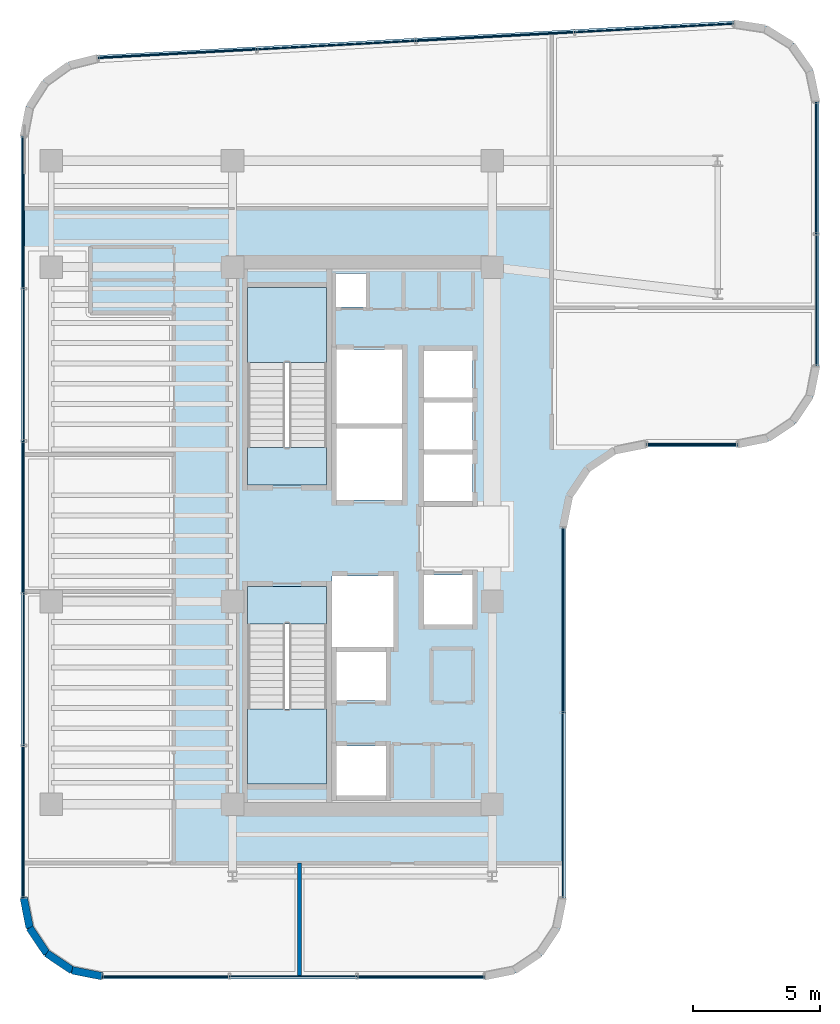
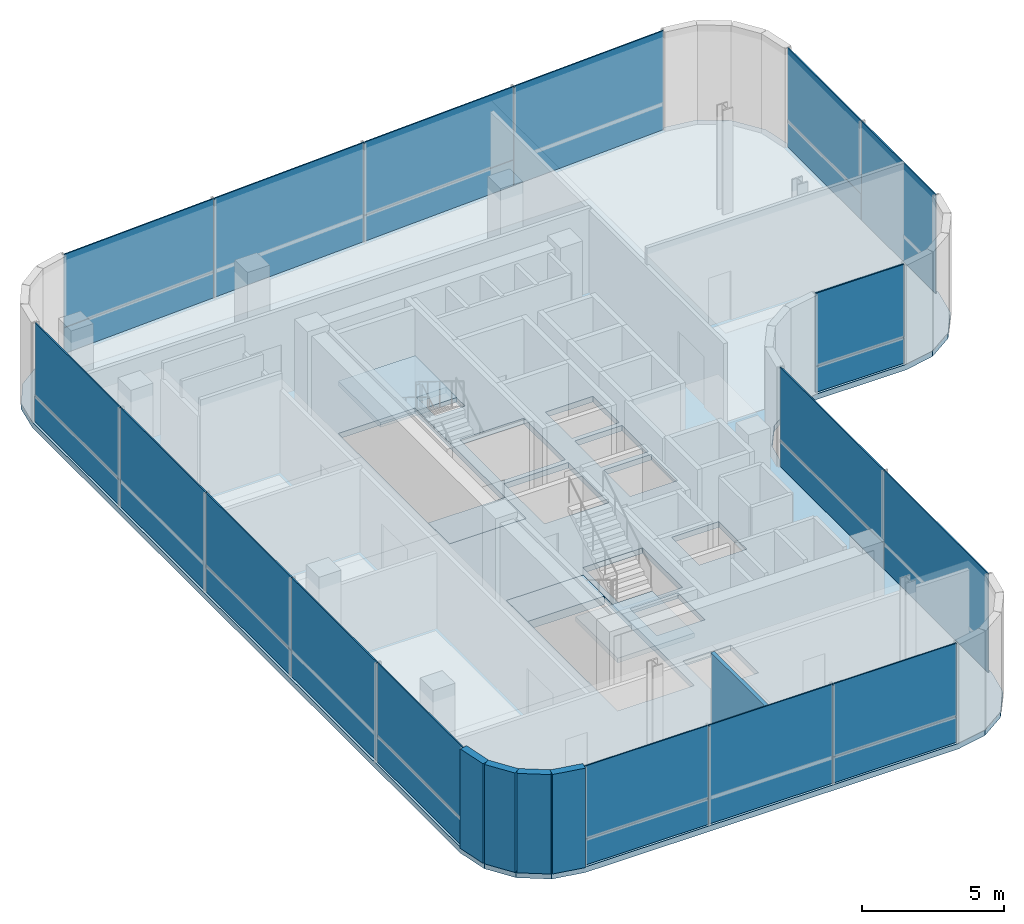
# One storey, part 12 of 17: 27 plates, 5 slabs, 5 walls, 8 elements without a shape of their own.
"""IFC4 building model written with IfcOpenShell, lengths in metres."""

from ifc_helpers import new_model, si_unit, direction, frame, frame_2d, origin, origin_2d, place, context, subcontext, project, spatial, polyline, rectangle, outline, extrude, source, transform, mapped, material, layer, layer_set, type_object, element, aggregate, save


model = new_model("IFC4")

# Units and contexts
model_context = context("Model", 3, precision=1e-05, world=origin(), true_north=direction((0.0, 1.0)))
body_context = subcontext(model_context, "Body", "Model", "MODEL_VIEW")
ifc_project = project(units=[si_unit("LENGTHUNIT", "METRE"), si_unit("AREAUNIT", "SQUARE_METRE"), si_unit("VOLUMEUNIT", "CUBIC_METRE"), si_unit("PLANEANGLEUNIT", "RADIAN"), si_unit("MASSUNIT", "GRAM", prefix="KILO")], contexts=[model_context])

# Site, building, storey
site_placement = place(None, origin())
site = spatial("IfcSite", under=ifc_project, at=site_placement, CompositionType="ELEMENT")
building_placement = place(site_placement, origin())
building = spatial("IfcBuilding", under=site, at=building_placement, Name="Valdorenza Pilgrim Sanctuary Tower", CompositionType="ELEMENT")
storey_placement = place(building_placement, frame((0.0, 0.0, 201.0)))
storey = spatial("IfcBuildingStorey", under=building, at=storey_placement, Name="L51", CompositionType="ELEMENT", Elevation=201.0)

# Slab
ifc_material_1 = material(Name="Concrete C40/50", Category="concrete")
ifc_layer_1 = layer(ifc_material_1, 0.239990234375, Name="Concrete C40/50")
ifc_layer_set_1 = layer_set([ifc_layer_1], Name="Concrete C40/50")
slab_type_1 = type_object("IfcSlabType", Name="SLAB-SKY-240", PredefinedType="FLOOR", material=ifc_layer_set_1)
slab_1_placement = place(storey_placement, frame((0.0, 0.0, -0.239990234375)))
element("IfcSlab", 1, at=slab_1_placement, inside=storey, type_object=slab_type_1, Name="L51 Structural Floor Slab 1", PredefinedType="FLOOR", context=body_context, shape_type="SweptSolid", body=[
    extrude(outline(polyline([(-31.0, 15.76806640625), (-30.772705078125, 16.95263671875), (-30.122802734375, 17.968994140625), (-29.14306640625, 18.672607421875), (-27.972412109375, 18.96337890625), (-2.872314453125, 20.318115234375), (-1.595947265625, 20.126220703125), (-0.4990234375, 19.445556640625), (0.239501953125, 18.386962890625), (0.5, 17.12255859375), (0.5, 6.699951171875), (0.25634765625, 5.475341796875), (-0.437255859375, 4.437255859375), (-1.475341796875, 3.74365234375), (-2.699951171875, 3.5), (-6.300048828125, 3.5), (-7.524658203125, 3.25634765625), (-8.562744140625, 2.562744140625), (-9.25634765625, 1.524658203125), (-9.5, 0.300048828125), (-9.5, -14.300048828125), (-9.74365234375, -15.524658203125), (-10.437255859375, -16.562744140625), (-11.475341796875, -17.25634765625), (-12.699951171875, -17.5), (-27.800048828125, -17.5), (-29.024658203125, -17.25634765625), (-30.062744140625, -16.562744140625), (-30.75634765625, -15.524658203125), (-31.0, -14.300048828125), (-31.0, 15.76806640625)]), holes=[polyline([(-16.60009765625, -8.300048828125), (-18.550048828125, -8.300048828125), (-18.550048828125, -10.25), (-16.60009765625, -10.25), (-16.60009765625, -8.300048828125)]), polyline([(-18.93994140625, -9.800048828125), (-18.93994140625, -3.485107421875), (-18.93994140625, -2.0), (-22.050048828125, -2.0), (-22.050048828125, -3.485107421875), (-22.050048828125, -9.800048828125), (-18.93994140625, -9.800048828125)]), polyline([(-16.60009765625, -6.5), (-16.60009765625, -4.60009765625), (-18.550048828125, -4.60009765625), (-18.550048828125, -6.5), (-16.60009765625, -6.5)]), polyline([(-22.050048828125, 2.0), (-18.93994140625, 2.0), (-18.93994140625, 3.485107421875), (-18.93994140625, 9.800048828125), (-22.050048828125, 9.800048828125), (-22.050048828125, 3.485107421875), (-22.050048828125, 2.0)]), polyline([(-17.360107421875, 9.030029296875), (-17.360107421875, 10.35009765625), (-18.570068359375, 10.35009765625), (-18.570068359375, 9.030029296875), (-17.360107421875, 9.030029296875)]), polyline([(-16.300048828125, -1.60009765625), (-18.719970703125, -1.60009765625), (-18.719970703125, -4.39990234375), (-16.300048828125, -4.39990234375), (-16.300048828125, -1.60009765625)]), polyline([(-13.179931640625, -3.5), (-13.179931640625, -1.550048828125), (-15.10009765625, -1.550048828125), (-15.10009765625, -3.5), (-13.179931640625, -3.5)]), polyline([(-13.179931640625, 1.35009765625), (-13.179931640625, 3.199951171875), (-15.10009765625, 3.199951171875), (-15.10009765625, 1.35009765625), (-13.179931640625, 1.35009765625)]), polyline([(-15.949951171875, 1.39990234375), (-15.949951171875, 4.22509765625), (-18.550048828125, 4.22509765625), (-18.550048828125, 1.39990234375), (-15.949951171875, 1.39990234375)]), polyline([(-13.179931640625, 3.39990234375), (-13.179931640625, 5.25), (-15.10009765625, 5.25), (-15.10009765625, 3.39990234375), (-13.179931640625, 3.39990234375)]), polyline([(-15.949951171875, 4.425048828125), (-15.949951171875, 7.35009765625), (-18.550048828125, 7.35009765625), (-18.550048828125, 4.425048828125), (-15.949951171875, 4.425048828125)]), polyline([(-13.179931640625, 5.449951171875), (-13.179931640625, 7.300048828125), (-15.10009765625, 7.300048828125), (-15.10009765625, 5.449951171875), (-13.179931640625, 5.449951171875)])]), origin(), (0.0, 0.0, 1.0), 0.239990234375),
])

# Stair, slab
stair_type = type_object("IfcStairType", Name="STR-DOG-CORE", PredefinedType="HALF_TURN_STAIR", material=ifc_material_1)
stair_1_placement = place(storey_placement, origin())
stair_1 = element("IfcStair", 2, at=stair_1_placement, inside=storey, type_object=stair_type, Name="L51 ST-A1", PredefinedType="HALF_TURN_STAIR")
ifc_layer_2 = layer(ifc_material_1, 0.199951171875, Name="Concrete C40/50")
ifc_layer_set_2 = layer_set([ifc_layer_2], Name="Concrete C40/50")
slab_type_2 = type_object("IfcSlabType", Name="SLAB-STL-200", PredefinedType="LANDING", material=ifc_layer_set_2)
slab_2_placement = place(storey_placement, frame((0.0, 0.0, 2.050048828125)))
slab_2 = element("IfcSlab", 3, at=slab_2_placement, type_object=slab_type_2, Name="ST-A1 landing 1", PredefinedType="LANDING", context=body_context, shape_type="SweptSolid", body=[
    extrude(outline(polyline([(-18.93994140625, 6.840087890625), (-18.93994140625, 9.800048828125), (-22.050048828125, 9.800048828125), (-22.050048828125, 6.840087890625), (-18.93994140625, 6.840087890625)])), origin(), (0.0, 0.0, 1.0), 0.199951171875),
])
aggregate(stair_1, [slab_2])

stair_2_placement = place(storey_placement, origin())
stair_2 = element("IfcStair", 4, at=stair_2_placement, inside=storey, type_object=stair_type, Name="L51 ST-A2", PredefinedType="HALF_TURN_STAIR")
slab_3_placement = place(storey_placement, frame((0.0, 0.0, 2.050048828125)))
slab_3 = element("IfcSlab", 5, at=slab_3_placement, type_object=slab_type_2, Name="ST-A2 landing 1", PredefinedType="LANDING", context=body_context, shape_type="SweptSolid", body=[
    extrude(outline(polyline([(-22.050048828125, -6.840087890625), (-22.050048828125, -9.800048828125), (-18.93994140625, -9.800048828125), (-18.93994140625, -6.840087890625), (-22.050048828125, -6.840087890625)])), origin(), (0.0, 0.0, 1.0), 0.199951171875),
])
aggregate(stair_2, [slab_3])

# Slabs
ifc_material_2 = material(Name="Concrete C50/60", Category="concrete")
ifc_layer_3 = layer(ifc_material_2, 0.39990234375, Name="Concrete C50/60")
ifc_layer_set_3 = layer_set([ifc_layer_3], Name="Concrete C50/60")
slab_type_3 = type_object("IfcSlabType", Name="SLAB-TRF-400", PredefinedType="FLOOR", material=ifc_layer_set_3)
slab_4_placement = place(storey_placement, frame((0.0, 0.0, -0.360107421875)))
element("IfcSlab", 6, at=slab_4_placement, inside=storey, type_object=slab_type_3, Name="L51 ST-A1 Structural Stair Landing Bearing Slab", PredefinedType="FLOOR", context=body_context, shape_type="SweptSolid", body=[
    extrude(outline(polyline([(-22.050048828125, 2.0), (-18.93994140625, 2.0), (-18.93994140625, 3.485107421875), (-22.050048828125, 3.485107421875), (-22.050048828125, 2.0)])), origin(), (0.0, 0.0, 1.0), 0.360107421875),
])
slab_5_placement = place(storey_placement, frame((0.0, 0.0, -0.360107421875)))
element("IfcSlab", 7, at=slab_5_placement, inside=storey, type_object=slab_type_3, Name="L51 ST-A2 Structural Stair Landing Bearing Slab", PredefinedType="FLOOR", context=body_context, shape_type="SweptSolid", body=[
    extrude(outline(polyline([(-22.050048828125, -3.485107421875), (-18.93994140625, -3.485107421875), (-18.93994140625, -2.0), (-22.050048828125, -2.0), (-22.050048828125, -3.485107421875)])), origin(), (0.0, 0.0, 1.0), 0.360107421875),
])

# Curtain wall, plates
ifc_material_3 = material(Name="Curtain-wall IGU glazing", Category="glass")
curtain_wall_type = type_object("IfcCurtainWallType", Name="CW-SYS-04", PredefinedType="NOTDEFINED", material=ifc_material_3)
curtain_wall_1_placement = place(storey_placement, origin())
curtain_wall_1 = element("IfcCurtainWall", 8, at=curtain_wall_1_placement, inside=storey, type_object=curtain_wall_type, Name="L51 Curtain Wall CW-L51-1-26", PredefinedType="NOTDEFINED")
ifc_material_4 = material(Name="Honed travertine limestone", Category="masonry")
ifc_layer_4 = layer(ifc_material_4, 0.050048828125, Name="Honed travertine limestone")
ifc_layer_set_4 = layer_set([ifc_layer_4], Name="Honed travertine limestone")
plate_type_1 = type_object("IfcPlateType", Name="CW-SPN-TRV", PredefinedType="USERDEFINED", material=ifc_layer_set_4)
shared_shape_1 = source(origin(), body_context, "Body", "SweptSolid", [
    extrude(rectangle(XDim=5.006103515625, YDim=0.06005859375, at=origin_2d()), origin(), (0.0, 0.0, 1.0), 1.10009765625),
])
plate_1_placement = place(storey_placement, frame((-15.223876953125, -17.389892578125, 0.010009765625), z_axis=(0.0, 0.0, 1.0), x_axis=(-1.0, 0.0, 0.0)))
plate_1 = element("IfcPlate", 9, at=plate_1_placement, type_object=plate_type_1, Name="CW-L51-1-26 Travertine Spandrel 1", ObjectType="SPANDREL", PredefinedType="USERDEFINED", context=body_context, shape_type="MappedRepresentation", body=[
    mapped(shared_shape_1, transform((0.0, 0.0, 0.0), x_axis=(1.0, 0.0, 0.0), y_axis=(0.0, 1.0, 0.0), z_axis=(0.0, 0.0, 1.0), scale=1.0)),
])
plate_2_placement = place(storey_placement, frame((-25.276123046875, -17.389892578125, 0.010009765625), z_axis=(0.0, 0.0, 1.0), x_axis=(-1.0, 0.0, 0.0)))
plate_2 = element("IfcPlate", 10, at=plate_2_placement, type_object=plate_type_1, Name="CW-L51-1-26 Travertine Spandrel 3", ObjectType="SPANDREL", PredefinedType="USERDEFINED", context=body_context, shape_type="MappedRepresentation", body=[
    mapped(shared_shape_1, transform((0.0, 0.0, 0.0), x_axis=(1.0, 0.0, 0.0), y_axis=(0.0, 1.0, 0.0), z_axis=(0.0, 0.0, 1.0), scale=1.0)),
])

curtain_wall_2_placement = place(storey_placement, origin())
curtain_wall_2 = element("IfcCurtainWall", 11, at=curtain_wall_2_placement, inside=storey, type_object=curtain_wall_type, Name="L51 Curtain Wall CW-L51-1-1", PredefinedType="NOTDEFINED")
shared_shape_2 = source(origin(), body_context, "Body", "SweptSolid", [
    extrude(rectangle(XDim=5.9892578125, YDim=0.06005859375, at=origin_2d()), origin(), (0.0, 0.0, 1.0), 1.10009765625),
])
plate_3_placement = place(storey_placement, frame((-30.889892578125, -11.284423828125, 0.010009765625), z_axis=(0.0, 0.0, 1.0), x_axis=(0.0, 1.0, 0.0)))
plate_3 = element("IfcPlate", 12, at=plate_3_placement, type_object=plate_type_1, Name="CW-L51-1-1 Travertine Spandrel 1", ObjectType="SPANDREL", PredefinedType="USERDEFINED", context=body_context, shape_type="MappedRepresentation", body=[
    mapped(shared_shape_2, transform((0.0, 0.0, 0.0), x_axis=(1.0, 0.0, 0.0), y_axis=(0.0, 1.0, 0.0), z_axis=(0.0, 0.0, 1.0), scale=1.0)),
])
plate_4_placement = place(storey_placement, frame((-30.889892578125, 0.734130859375, 0.010009765625), z_axis=(0.0, 0.0, 1.0), x_axis=(0.0, 1.0, 0.0)))
plate_4 = element("IfcPlate", 13, at=plate_4_placement, type_object=plate_type_1, Name="CW-L51-1-1 Travertine Spandrel 3", ObjectType="SPANDREL", PredefinedType="USERDEFINED", context=body_context, shape_type="MappedRepresentation", body=[
    mapped(shared_shape_2, transform((0.0, 0.0, 0.0), x_axis=(1.0, 0.0, 0.0), y_axis=(0.0, 1.0, 0.0), z_axis=(0.0, 0.0, 1.0), scale=1.0)),
])
plate_5_placement = place(storey_placement, frame((-30.889892578125, 12.752685546875, 0.010009765625), z_axis=(0.0, 0.0, 1.0), x_axis=(0.0, 1.0, 0.0)))
plate_5 = element("IfcPlate", 14, at=plate_5_placement, type_object=plate_type_1, Name="CW-L51-1-1 Travertine Spandrel 5", ObjectType="SPANDREL", PredefinedType="USERDEFINED", context=body_context, shape_type="MappedRepresentation", body=[
    mapped(shared_shape_2, transform((0.0, 0.0, 0.0), x_axis=(1.0, 0.0, 0.0), y_axis=(0.0, 1.0, 0.0), z_axis=(0.0, 0.0, 1.0), scale=1.0)),
])

curtain_wall_3_placement = place(storey_placement, origin())
curtain_wall_3 = element("IfcCurtainWall", 15, at=curtain_wall_3_placement, inside=storey, type_object=curtain_wall_type, Name="L51 Curtain Wall CW-L51-1-6", PredefinedType="NOTDEFINED")
shared_shape_3 = source(origin(), body_context, "Body", "SweptSolid", [
    extrude(rectangle(XDim=6.2587890625, YDim=0.06005859375, at=origin_2d()), origin(), (0.0, 0.0, 1.0), 1.10009765625),
])
plate_6_placement = place(storey_placement, frame((-24.8212890625, 19.023193359375, 0.010009765625), z_axis=(0.0, 0.0, 1.0), x_axis=(0.998547034311, 0.053887106711, 0.0)))
plate_6 = element("IfcPlate", 16, at=plate_6_placement, type_object=plate_type_1, Name="CW-L51-1-6 Travertine Spandrel 1", ObjectType="SPANDREL", PredefinedType="USERDEFINED", context=body_context, shape_type="MappedRepresentation", body=[
    mapped(shared_shape_3, transform((0.0, 0.0, 0.0), x_axis=(1.0, 0.0, 0.0), y_axis=(0.0, 1.0, 0.0), z_axis=(0.0, 0.0, 1.0), scale=1.0)),
])
plate_7_placement = place(storey_placement, frame((-12.281982421875, 19.699951171875, 0.010009765625), z_axis=(0.0, 0.0, 1.0), x_axis=(0.998547034311, 0.053887106711, 0.0)))
plate_7 = element("IfcPlate", 17, at=plate_7_placement, type_object=plate_type_1, Name="CW-L51-1-6 Travertine Spandrel 3", ObjectType="SPANDREL", PredefinedType="USERDEFINED", context=body_context, shape_type="MappedRepresentation", body=[
    mapped(shared_shape_3, transform((0.0, 0.0, 0.0), x_axis=(1.0, 0.0, 0.0), y_axis=(0.0, 1.0, 0.0), z_axis=(0.0, 0.0, 1.0), scale=1.0)),
])

# Curtain wall, plate
curtain_wall_4_placement = place(storey_placement, origin())
curtain_wall_4 = element("IfcCurtainWall", 18, at=curtain_wall_4_placement, inside=storey, type_object=curtain_wall_type, Name="L51 Curtain Wall CW-L51-1-16", PredefinedType="NOTDEFINED")
shared_shape_4 = source(origin(), body_context, "Body", "SweptSolid", [
    extrude(rectangle(XDim=3.580078125, YDim=0.06005859375, at=origin_2d()), origin(), (0.0, 0.0, 1.0), 1.10009765625),
])
plate_8_placement = place(storey_placement, frame((-4.5107421875, 3.610107421875, 0.010009765625), z_axis=(0.0, 0.0, 1.0), x_axis=(-1.0, 0.0, 0.0)))
plate_8 = element("IfcPlate", 19, at=plate_8_placement, type_object=plate_type_1, Name="CW-L51-1-16 Travertine Spandrel 1", ObjectType="SPANDREL", PredefinedType="USERDEFINED", context=body_context, shape_type="MappedRepresentation", body=[
    mapped(shared_shape_4, transform((0.0, 0.0, 0.0), x_axis=(1.0, 0.0, 0.0), y_axis=(0.0, 1.0, 0.0), z_axis=(0.0, 0.0, 1.0), scale=1.0)),
])

curtain_wall_5_placement = place(storey_placement, origin())
curtain_wall_5 = element("IfcCurtainWall", 20, at=curtain_wall_5_placement, inside=storey, type_object=curtain_wall_type, Name="L51 Curtain Wall CW-L51-1-21", PredefinedType="NOTDEFINED")
shared_shape_5 = source(origin(), body_context, "Body", "SweptSolid", [
    extrude(rectangle(XDim=7.280029296875, YDim=0.06005859375, at=origin_2d()), origin(), (0.0, 0.0, 1.0), 1.10009765625),
])
plate_9_placement = place(storey_placement, frame((-9.610107421875, -3.339111328125, 0.010009765625), z_axis=(0.0, 0.0, 1.0), x_axis=(0.0, -1.0, 0.0)))
plate_9 = element("IfcPlate", 21, at=plate_9_placement, type_object=plate_type_1, Name="CW-L51-1-21 Travertine Spandrel 1", ObjectType="SPANDREL", PredefinedType="USERDEFINED", context=body_context, shape_type="MappedRepresentation", body=[
    mapped(shared_shape_5, transform((0.0, 0.0, 0.0), x_axis=(1.0, 0.0, 0.0), y_axis=(0.0, 1.0, 0.0), z_axis=(0.0, 0.0, 1.0), scale=1.0)),
])

# Plate
ifc_material_5 = material(Name="Ceramic-fritted low-E IGU glazing", Category="glass")
ifc_layer_5 = layer(ifc_material_5, 0.035888671875, Name="Ceramic-fritted low-E IGU glazing")
ifc_layer_set_5 = layer_set([ifc_layer_5], Name="Ceramic-fritted low-E IGU glazing")
plate_type_2 = type_object("IfcPlateType", Name="CW-GLZ-IGU", PredefinedType="USERDEFINED", material=ifc_layer_set_5)
shared_shape_6 = source(origin(), body_context, "Body", "SweptSolid", [
    extrude(rectangle(XDim=5.9892578125, YDim=0.050048828125, at=origin_2d()), origin(), (0.0, 0.0, 1.0), 3.1201171875),
])
plate_10_placement = place(storey_placement, frame((-30.889892578125, -11.284423828125, 1.1298828125), z_axis=(0.0, 0.0, 1.0), x_axis=(0.0, 1.0, 0.0)))
plate_10 = element("IfcPlate", 22, at=plate_10_placement, type_object=plate_type_2, Name="CW-L51-1-1 Facade Panel 1", ObjectType="GLAZING", PredefinedType="USERDEFINED", context=body_context, shape_type="MappedRepresentation", body=[
    mapped(shared_shape_6, transform((0.0, 0.0, 0.0), x_axis=(1.0, 0.0, 0.0), y_axis=(0.0, 1.0, 0.0), z_axis=(0.0, 0.0, 1.0), scale=1.0)),
])

plate_11_placement = place(storey_placement, frame((-30.889892578125, 0.734130859375, 1.1298828125), z_axis=(0.0, 0.0, 1.0), x_axis=(0.0, 1.0, 0.0)))
plate_11 = element("IfcPlate", 23, at=plate_11_placement, type_object=plate_type_2, Name="CW-L51-1-1 Facade Panel 3", ObjectType="GLAZING", PredefinedType="USERDEFINED", context=body_context, shape_type="MappedRepresentation", body=[
    mapped(shared_shape_6, transform((0.0, 0.0, 0.0), x_axis=(1.0, 0.0, 0.0), y_axis=(0.0, 1.0, 0.0), z_axis=(0.0, 0.0, 1.0), scale=1.0)),
])

plate_12_placement = place(storey_placement, frame((-30.889892578125, 12.752685546875, 1.1298828125), z_axis=(0.0, 0.0, 1.0), x_axis=(0.0, 1.0, 0.0)))
plate_12 = element("IfcPlate", 24, at=plate_12_placement, type_object=plate_type_2, Name="CW-L51-1-1 Facade Panel 5", ObjectType="GLAZING", PredefinedType="USERDEFINED", context=body_context, shape_type="MappedRepresentation", body=[
    mapped(shared_shape_6, transform((0.0, 0.0, 0.0), x_axis=(1.0, 0.0, 0.0), y_axis=(0.0, 1.0, 0.0), z_axis=(0.0, 0.0, 1.0), scale=1.0)),
])

shared_shape_7 = source(origin(), body_context, "Body", "SweptSolid", [
    extrude(rectangle(XDim=5.9892578125, YDim=0.050048828125, at=origin_2d()), origin(), (0.0, 0.0, 1.0), 4.239990234375),
])
plate_13_placement = place(storey_placement, frame((-30.889892578125, -5.275146484375, 0.009765625), z_axis=(0.0, 0.0, 1.0), x_axis=(0.0, 1.0, 0.0)))
plate_13 = element("IfcPlate", 25, at=plate_13_placement, type_object=plate_type_2, Name="CW-L51-1-1 Full-Height Facade Panel 2", ObjectType="GLAZING", PredefinedType="USERDEFINED", context=body_context, shape_type="MappedRepresentation", body=[
    mapped(shared_shape_7, transform((0.0, 0.0, 0.0), x_axis=(1.0, 0.0, 0.0), y_axis=(0.0, 1.0, 0.0), z_axis=(0.0, 0.0, 1.0), scale=1.0)),
])

plate_14_placement = place(storey_placement, frame((-30.889892578125, 6.743408203125, 0.009765625), z_axis=(0.0, 0.0, 1.0), x_axis=(0.0, 1.0, 0.0)))
plate_14 = element("IfcPlate", 26, at=plate_14_placement, type_object=plate_type_2, Name="CW-L51-1-1 Full-Height Facade Panel 4", ObjectType="GLAZING", PredefinedType="USERDEFINED", context=body_context, shape_type="MappedRepresentation", body=[
    mapped(shared_shape_7, transform((0.0, 0.0, 0.0), x_axis=(1.0, 0.0, 0.0), y_axis=(0.0, 1.0, 0.0), z_axis=(0.0, 0.0, 1.0), scale=1.0)),
])

aggregate(curtain_wall_2, [plate_3, plate_10, plate_13, plate_4, plate_11, plate_14, plate_5, plate_12])

shared_shape_8 = source(origin(), body_context, "Body", "SweptSolid", [
    extrude(rectangle(XDim=6.2587890625, YDim=0.050048828125, at=origin_2d()), origin(), (0.0, 0.0, 1.0), 3.1201171875),
])
plate_15_placement = place(storey_placement, frame((-24.8212890625, 19.023193359375, 1.1298828125), z_axis=(0.0, 0.0, 1.0), x_axis=(0.998547034311, 0.053887106711, 0.0)))
plate_15 = element("IfcPlate", 27, at=plate_15_placement, type_object=plate_type_2, Name="CW-L51-1-6 Facade Panel 1", ObjectType="GLAZING", PredefinedType="USERDEFINED", context=body_context, shape_type="MappedRepresentation", body=[
    mapped(shared_shape_8, transform((0.0, 0.0, 0.0), x_axis=(1.0, 0.0, 0.0), y_axis=(0.0, 1.0, 0.0), z_axis=(0.0, 0.0, 1.0), scale=1.0)),
])

plate_16_placement = place(storey_placement, frame((-12.281982421875, 19.699951171875, 1.1298828125), z_axis=(0.0, 0.0, 1.0), x_axis=(0.998547034311, 0.053887106711, 0.0)))
plate_16 = element("IfcPlate", 28, at=plate_16_placement, type_object=plate_type_2, Name="CW-L51-1-6 Facade Panel 3", ObjectType="GLAZING", PredefinedType="USERDEFINED", context=body_context, shape_type="MappedRepresentation", body=[
    mapped(shared_shape_8, transform((0.0, 0.0, 0.0), x_axis=(1.0, 0.0, 0.0), y_axis=(0.0, 1.0, 0.0), z_axis=(0.0, 0.0, 1.0), scale=1.0)),
])

shared_shape_9 = source(origin(), body_context, "Body", "SweptSolid", [
    extrude(rectangle(XDim=6.2587890625, YDim=0.050048828125, at=origin_2d()), origin(), (0.0, 0.0, 1.0), 4.239990234375),
])
plate_17_placement = place(storey_placement, frame((-18.551513671875, 19.36181640625, 0.009765625), z_axis=(0.0, 0.0, 1.0), x_axis=(0.998547034311, 0.053887106711, 0.0)))
plate_17 = element("IfcPlate", 29, at=plate_17_placement, type_object=plate_type_2, Name="CW-L51-1-6 Full-Height Facade Panel 2", ObjectType="GLAZING", PredefinedType="USERDEFINED", context=body_context, shape_type="MappedRepresentation", body=[
    mapped(shared_shape_9, transform((0.0, 0.0, 0.0), x_axis=(1.0, 0.0, 0.0), y_axis=(0.0, 1.0, 0.0), z_axis=(0.0, 0.0, 1.0), scale=1.0)),
])

plate_18_placement = place(storey_placement, frame((-6.012451171875, 20.038330078125, 0.009765625), z_axis=(0.0, 0.0, 1.0), x_axis=(0.998547034311, 0.053887106711, 0.0)))
plate_18 = element("IfcPlate", 30, at=plate_18_placement, type_object=plate_type_2, Name="CW-L51-1-6 Full-Height Facade Panel 4", ObjectType="GLAZING", PredefinedType="USERDEFINED", context=body_context, shape_type="MappedRepresentation", body=[
    mapped(shared_shape_9, transform((0.0, 0.0, 0.0), x_axis=(1.0, 0.0, 0.0), y_axis=(0.0, 1.0, 0.0), z_axis=(0.0, 0.0, 1.0), scale=1.0)),
])

aggregate(curtain_wall_3, [plate_6, plate_15, plate_17, plate_7, plate_16, plate_18])

# Curtain wall, plates
curtain_wall_6_placement = place(storey_placement, origin())
curtain_wall_6 = element("IfcCurtainWall", 31, at=curtain_wall_6_placement, inside=storey, type_object=curtain_wall_type, Name="L51 Curtain Wall CW-L51-1-11", PredefinedType="NOTDEFINED")
shared_shape_10 = source(origin(), body_context, "Body", "SweptSolid", [
    extrude(rectangle(XDim=5.180419921875, YDim=0.06005859375, at=origin_2d()), origin(), (0.0, 0.0, 1.0), 1.10009765625),
])
plate_19_placement = place(storey_placement, frame((0.389892578125, 14.51123046875, 0.010009765625), z_axis=(0.0, 0.0, 1.0), x_axis=(0.0, -1.0, 0.0)))
plate_19 = element("IfcPlate", 32, at=plate_19_placement, type_object=plate_type_1, Name="CW-L51-1-11 Travertine Spandrel 1", ObjectType="SPANDREL", PredefinedType="USERDEFINED", context=body_context, shape_type="MappedRepresentation", body=[
    mapped(shared_shape_10, transform((0.0, 0.0, 0.0), x_axis=(1.0, 0.0, 0.0), y_axis=(0.0, 1.0, 0.0), z_axis=(0.0, 0.0, 1.0), scale=1.0)),
])
shared_shape_11 = source(origin(), body_context, "Body", "SweptSolid", [
    extrude(rectangle(XDim=5.180419921875, YDim=0.050048828125, at=origin_2d()), origin(), (0.0, 0.0, 1.0), 3.1201171875),
])
plate_20_placement = place(storey_placement, frame((0.389892578125, 14.51123046875, 1.1298828125), z_axis=(0.0, 0.0, 1.0), x_axis=(0.0, -1.0, 0.0)))
plate_20 = element("IfcPlate", 33, at=plate_20_placement, type_object=plate_type_2, Name="CW-L51-1-11 Facade Panel 1", ObjectType="GLAZING", PredefinedType="USERDEFINED", context=body_context, shape_type="MappedRepresentation", body=[
    mapped(shared_shape_11, transform((0.0, 0.0, 0.0), x_axis=(1.0, 0.0, 0.0), y_axis=(0.0, 1.0, 0.0), z_axis=(0.0, 0.0, 1.0), scale=1.0)),
])
shared_shape_12 = source(origin(), body_context, "Body", "SweptSolid", [
    extrude(rectangle(XDim=5.180419921875, YDim=0.050048828125, at=origin_2d()), origin(), (0.0, 0.0, 1.0), 4.239990234375),
])
plate_21_placement = place(storey_placement, frame((0.389892578125, 9.310791015625, 0.009765625), z_axis=(0.0, 0.0, 1.0), x_axis=(0.0, -1.0, 0.0)))
plate_21 = element("IfcPlate", 34, at=plate_21_placement, type_object=plate_type_2, Name="CW-L51-1-11 Full-Height Facade Panel 2", ObjectType="GLAZING", PredefinedType="USERDEFINED", context=body_context, shape_type="MappedRepresentation", body=[
    mapped(shared_shape_12, transform((0.0, 0.0, 0.0), x_axis=(1.0, 0.0, 0.0), y_axis=(0.0, 1.0, 0.0), z_axis=(0.0, 0.0, 1.0), scale=1.0)),
])
aggregate(curtain_wall_6, [plate_19, plate_20, plate_21])

# Plate
shared_shape_13 = source(origin(), body_context, "Body", "SweptSolid", [
    extrude(rectangle(XDim=3.580078125, YDim=0.050048828125, at=origin_2d()), origin(), (0.0, 0.0, 1.0), 3.1201171875),
])
plate_22_placement = place(storey_placement, frame((-4.5107421875, 3.610107421875, 1.1298828125), z_axis=(0.0, 0.0, 1.0), x_axis=(-1.0, 0.0, 0.0)))
plate_22 = element("IfcPlate", 35, at=plate_22_placement, type_object=plate_type_2, Name="CW-L51-1-16 Facade Panel 1", ObjectType="GLAZING", PredefinedType="USERDEFINED", context=body_context, shape_type="MappedRepresentation", body=[
    mapped(shared_shape_13, transform((0.0, 0.0, 0.0), x_axis=(1.0, 0.0, 0.0), y_axis=(0.0, 1.0, 0.0), z_axis=(0.0, 0.0, 1.0), scale=1.0)),
])

aggregate(curtain_wall_4, [plate_8, plate_22])

shared_shape_14 = source(origin(), body_context, "Body", "SweptSolid", [
    extrude(rectangle(XDim=7.280029296875, YDim=0.050048828125, at=origin_2d()), origin(), (0.0, 0.0, 1.0), 3.1201171875),
])
plate_23_placement = place(storey_placement, frame((-9.610107421875, -3.339111328125, 1.1298828125), z_axis=(0.0, 0.0, 1.0), x_axis=(0.0, -1.0, 0.0)))
plate_23 = element("IfcPlate", 36, at=plate_23_placement, type_object=plate_type_2, Name="CW-L51-1-21 Facade Panel 1", ObjectType="GLAZING", PredefinedType="USERDEFINED", context=body_context, shape_type="MappedRepresentation", body=[
    mapped(shared_shape_14, transform((0.0, 0.0, 0.0), x_axis=(1.0, 0.0, 0.0), y_axis=(0.0, 1.0, 0.0), z_axis=(0.0, 0.0, 1.0), scale=1.0)),
])

shared_shape_15 = source(origin(), body_context, "Body", "SweptSolid", [
    extrude(rectangle(XDim=7.280029296875, YDim=0.050048828125, at=origin_2d()), origin(), (0.0, 0.0, 1.0), 4.239990234375),
])
plate_24_placement = place(storey_placement, frame((-9.610107421875, -10.63916015625, 0.009765625), z_axis=(0.0, 0.0, 1.0), x_axis=(0.0, -1.0, 0.0)))
plate_24 = element("IfcPlate", 37, at=plate_24_placement, type_object=plate_type_2, Name="CW-L51-1-21 Full-Height Facade Panel 2", ObjectType="GLAZING", PredefinedType="USERDEFINED", context=body_context, shape_type="MappedRepresentation", body=[
    mapped(shared_shape_15, transform((0.0, 0.0, 0.0), x_axis=(1.0, 0.0, 0.0), y_axis=(0.0, 1.0, 0.0), z_axis=(0.0, 0.0, 1.0), scale=1.0)),
])

aggregate(curtain_wall_5, [plate_9, plate_23, plate_24])

shared_shape_16 = source(origin(), body_context, "Body", "SweptSolid", [
    extrude(rectangle(XDim=5.006103515625, YDim=0.050048828125, at=origin_2d()), origin(), (0.0, 0.0, 1.0), 3.1201171875),
])
plate_25_placement = place(storey_placement, frame((-15.223876953125, -17.389892578125, 1.1298828125), z_axis=(0.0, 0.0, 1.0), x_axis=(-1.0, 0.0, 0.0)))
plate_25 = element("IfcPlate", 38, at=plate_25_placement, type_object=plate_type_2, Name="CW-L51-1-26 Facade Panel 1", ObjectType="GLAZING", PredefinedType="USERDEFINED", context=body_context, shape_type="MappedRepresentation", body=[
    mapped(shared_shape_16, transform((0.0, 0.0, 0.0), x_axis=(1.0, 0.0, 0.0), y_axis=(0.0, 1.0, 0.0), z_axis=(0.0, 0.0, 1.0), scale=1.0)),
])

plate_26_placement = place(storey_placement, frame((-25.276123046875, -17.389892578125, 1.1298828125), z_axis=(0.0, 0.0, 1.0), x_axis=(-1.0, 0.0, 0.0)))
plate_26 = element("IfcPlate", 39, at=plate_26_placement, type_object=plate_type_2, Name="CW-L51-1-26 Facade Panel 3", ObjectType="GLAZING", PredefinedType="USERDEFINED", context=body_context, shape_type="MappedRepresentation", body=[
    mapped(shared_shape_16, transform((0.0, 0.0, 0.0), x_axis=(1.0, 0.0, 0.0), y_axis=(0.0, 1.0, 0.0), z_axis=(0.0, 0.0, 1.0), scale=1.0)),
])

shared_shape_17 = source(origin(), body_context, "Body", "SweptSolid", [
    extrude(rectangle(XDim=5.006103515625, YDim=0.050048828125, at=origin_2d()), origin(), (0.0, 0.0, 1.0), 4.239990234375),
])
plate_27_placement = place(storey_placement, frame((-20.25, -17.389892578125, 0.009765625), z_axis=(0.0, 0.0, 1.0), x_axis=(-1.0, 0.0, 0.0)))
plate_27 = element("IfcPlate", 40, at=plate_27_placement, type_object=plate_type_2, Name="CW-L51-1-26 Full-Height Facade Panel 2", ObjectType="GLAZING", PredefinedType="USERDEFINED", context=body_context, shape_type="MappedRepresentation", body=[
    mapped(shared_shape_17, transform((0.0, 0.0, 0.0), x_axis=(1.0, 0.0, 0.0), y_axis=(0.0, 1.0, 0.0), z_axis=(0.0, 0.0, 1.0), scale=1.0)),
])

aggregate(curtain_wall_1, [plate_1, plate_25, plate_27, plate_2, plate_26])

# Walls
ifc_layer_6 = layer(ifc_material_4, 0.300048828125, Name="Honed travertine limestone")
ifc_layer_set_6 = layer_set([ifc_layer_6], Name="Honed travertine limestone")
wall_type_1 = type_object("IfcWallType", Name="WAL-EXT-300", PredefinedType="SOLIDWALL", material=ifc_layer_set_6)
wall_1_placement = place(storey_placement, frame((-27.789306640625, -17.389892578125, 0.0), z_axis=(0.0, 0.0, 1.0), x_axis=(-0.980804027463, 0.194996050505, 0.0)))
element("IfcWall", 41, at=wall_1_placement, inside=storey, type_object=wall_type_1, Name="L51 Rounded Wind-Corner Stone Pier 27", PredefinedType="SOLIDWALL", context=body_context, shape_type="SweptSolid", body=[
    extrude(rectangle(XDim=1.2158203125, YDim=0.300048828125, at=frame_2d((0.60791015625, 0.0))), origin(), (0.0, 0.0, 1.0), 4.260009765625),
])
for number, where, z_axis, x_axis, name in (
    (42, (-28.981689453125, -17.15283203125, 0.0), (0.0, 0.0, 1.0), (-0.831426265255, 0.555635100982, 0.0), "L51 Rounded Wind-Corner Stone Pier 28"),
    (43, (-29.9833984375, -16.4833984375, 0.0), (0.0, 0.0, 1.0), (-0.555635100982, 0.831426265255, 0.0), "L51 Rounded Wind-Corner Stone Pier 29"),
):
    element("IfcWall", number, at=place(storey_placement, frame(where, z_axis=z_axis, x_axis=x_axis)), inside=storey, type_object=wall_type_1, Name=name, PredefinedType="SOLIDWALL", context=body_context, shape_type="SweptSolid", body=[
        extrude(rectangle(XDim=1.204833984375, YDim=0.300048828125, at=frame_2d((0.6025390625, 0.0))), origin(), (0.0, 0.0, 1.0), 4.260009765625),
    ])
wall_2_placement = place(storey_placement, frame((-30.65283203125, -15.481689453125, 0.0), z_axis=(0.0, 0.0, 1.0), x_axis=(-0.194996050505, 0.980804027463, 0.0)))
element("IfcWall", 44, at=wall_2_placement, inside=storey, type_object=wall_type_1, Name="L51 Rounded Wind-Corner Stone Pier 30", PredefinedType="SOLIDWALL", context=body_context, shape_type="SweptSolid", body=[
    extrude(rectangle(XDim=1.2158203125, YDim=0.300048828125, at=frame_2d((0.60791015625, 0.0))), origin(), (0.0, 0.0, 1.0), 4.260009765625),
])
ifc_material_6 = material(Name="Acoustic twin-stud gypsum partition", Category="gypsum")
ifc_layer_7 = layer(ifc_material_6, 0.14990234375, Name="Acoustic twin-stud gypsum partition")
ifc_layer_set_7 = layer_set([ifc_layer_7], Name="Acoustic twin-stud gypsum partition")
wall_type_2 = type_object("IfcWallType", Name="WAL-UNT-150", PredefinedType="PARTITIONING", material=ifc_layer_set_7)
wall_3_placement = place(storey_placement, frame((-20.0, -17.389892578125, 0.0), z_axis=(0.0, 0.0, 1.0), x_axis=(0.0, 1.0, 0.0)))
element("IfcWall", 45, at=wall_3_placement, inside=storey, type_object=wall_type_2, Name="L51 Sky South Split Wall", PredefinedType="PARTITIONING", context=body_context, shape_type="SweptSolid", body=[
    extrude(rectangle(XDim=4.469970703125, YDim=0.14990234375, at=frame_2d((2.23486328125, 0.0))), origin(), (0.0, 0.0, 1.0), 3.7060546875),
])

save(model, "model.ifc")
